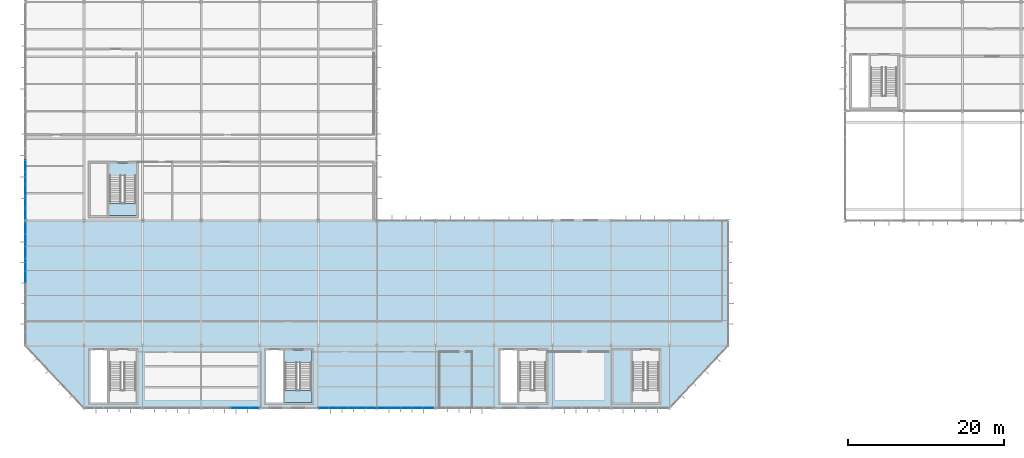
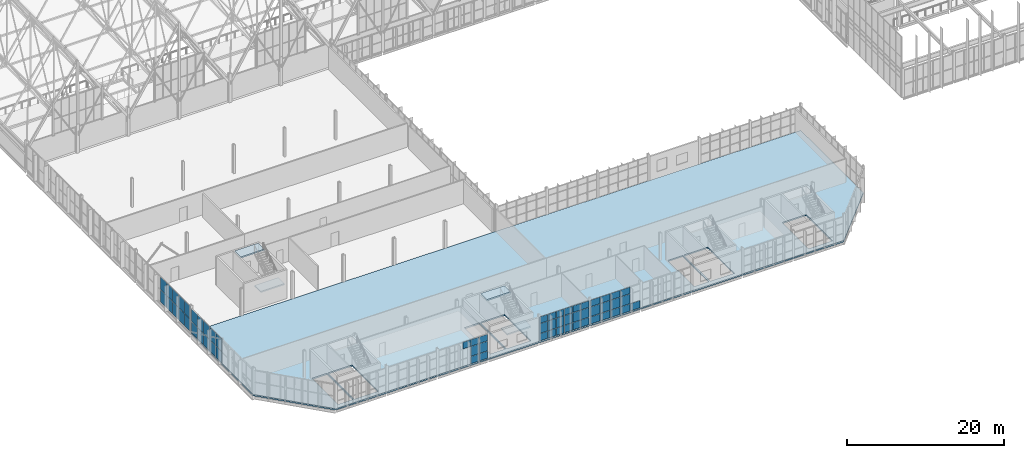
# One storey, part 266 of 324: 58 plates, 5 slabs, 7 elements without a shape of their own.
"""IFC4 building model written with IfcOpenShell, lengths in metres."""

from ifc_helpers import new_model, si_unit, direction, frame, origin, origin_2d, place, context, subcontext, project, spatial, polyline, rectangle, outline, extrude, material, layer, layer_set, type_object, element, aggregate, save


model = new_model("IFC4")

# Units and contexts
model_context = context("Model", 3, precision=1e-05, world=origin(), true_north=direction((0.0, 1.0)))
body_context = subcontext(model_context, "Body", "Model", "MODEL_VIEW")
ifc_project = project(units=[si_unit("LENGTHUNIT", "METRE"), si_unit("AREAUNIT", "SQUARE_METRE"), si_unit("VOLUMEUNIT", "CUBIC_METRE"), si_unit("PLANEANGLEUNIT", "RADIAN"), si_unit("MASSUNIT", "GRAM", prefix="KILO")], contexts=[model_context])

# Site, building, storey
site_placement = place(None, origin())
site = spatial("IfcSite", under=ifc_project, at=site_placement, CompositionType="ELEMENT")
building_placement = place(site_placement, origin())
building = spatial("IfcBuilding", under=site, at=building_placement, Name="Solvenia Promenade Tram Depot", CompositionType="ELEMENT")
storey_placement = place(building_placement, frame((0.0, 0.0, 4.5)))
storey = spatial("IfcBuildingStorey", under=building, at=storey_placement, Name="L01", CompositionType="ELEMENT", Elevation=4.5)

# Curtain wall, plates
ifc_material_1 = material(Name="Anodized aluminium AW-6063 T6", Category="aluminium")
ifc_layer_1 = layer(ifc_material_1, 0.1201171875, Name="Anodized aluminium AW-6063 T6", Category="aluminium")
ifc_layer_set_1 = layer_set([ifc_layer_1], Name="Anodized aluminium AW-6063 T6")
curtain_wall_type_1 = type_object("IfcCurtainWallType", Name="CW-Wash-1500", PredefinedType="NOTDEFINED", material=ifc_layer_set_1)
curtain_wall_1_placement = place(storey_placement, origin())
curtain_wall_1 = element("IfcCurtainWall", 1, at=curtain_wall_1_placement, inside=storey, type_object=curtain_wall_type_1, Name="Curtain Wall CW-V3-W-L1-1", PredefinedType="NOTDEFINED")
ifc_material_2 = material(Name="Low-iron translucent U-profile channel glass", Category="glass")
ifc_layer_2 = layer(ifc_material_2, 0.028076171875, Name="Low-iron translucent U-profile channel glass", Category="glass")
ifc_layer_set_2 = layer_set([ifc_layer_2], Name="Low-iron translucent U-profile channel glass")
plate_type_1 = type_object("IfcPlateType", Name="CWP-Panel-1", PredefinedType="CURTAIN_PANEL", material=ifc_layer_set_2)
plate_1_placement = place(storey_placement, frame((0.0, 24.858642578125, 0.06005859375), z_axis=(0.0, 0.0, 1.0), x_axis=(0.0, 1.0, 0.0)))
plate_1 = element("IfcPlate", 2, at=plate_1_placement, type_object=plate_type_1, Name="CW-10 panel 1.1", PredefinedType="CURTAIN_PANEL", context=body_context, shape_type="SweptSolid", body=[
    extrude(rectangle(XDim=1.453125, YDim=0.028076171875, at=origin_2d()), origin(), (0.0, 0.0, 1.0), 1.909912109375),
])
plate_2_placement = place(storey_placement, frame((0.0, 24.858642578125, 2.030029296875), z_axis=(0.0, 0.0, 1.0), x_axis=(0.0, 1.0, 0.0)))
plate_2 = element("IfcPlate", 3, at=plate_2_placement, type_object=plate_type_1, Name="CW-10 panel 1.2", PredefinedType="CURTAIN_PANEL", context=body_context, shape_type="SweptSolid", body=[
    extrude(rectangle(XDim=1.453125, YDim=0.028076171875, at=origin_2d()), origin(), (0.0, 0.0, 1.0), 1.9599609375),
])
plate_3_placement = place(storey_placement, frame((0.0, 26.376708984375, 0.06005859375), z_axis=(0.0, 0.0, 1.0), x_axis=(0.0, 1.0, 0.0)))
plate_3 = element("IfcPlate", 4, at=plate_3_placement, type_object=plate_type_1, Name="CW-10 panel 2.1", PredefinedType="CURTAIN_PANEL", context=body_context, shape_type="SweptSolid", body=[
    extrude(rectangle(XDim=1.47900390625, YDim=0.028076171875, at=origin_2d()), origin(), (0.0, 0.0, 1.0), 1.909912109375),
])
plate_4_placement = place(storey_placement, frame((0.0, 26.376708984375, 2.030029296875), z_axis=(0.0, 0.0, 1.0), x_axis=(0.0, 1.0, 0.0)))
plate_4 = element("IfcPlate", 5, at=plate_4_placement, type_object=plate_type_1, Name="CW-10 panel 2.2", PredefinedType="CURTAIN_PANEL", context=body_context, shape_type="SweptSolid", body=[
    extrude(rectangle(XDim=1.47900390625, YDim=0.028076171875, at=origin_2d()), origin(), (0.0, 0.0, 1.0), 1.9599609375),
])
plate_5_placement = place(storey_placement, frame((0.0, 27.90771484375, 0.06005859375), z_axis=(0.0, 0.0, 1.0), x_axis=(0.0, 1.0, 0.0)))
plate_5 = element("IfcPlate", 6, at=plate_5_placement, type_object=plate_type_1, Name="CW-10 panel 3.1", PredefinedType="CURTAIN_PANEL", context=body_context, shape_type="SweptSolid", body=[
    extrude(rectangle(XDim=1.47900390625, YDim=0.028076171875, at=origin_2d()), origin(), (0.0, 0.0, 1.0), 1.909912109375),
])
plate_6_placement = place(storey_placement, frame((0.0, 27.90771484375, 2.030029296875), z_axis=(0.0, 0.0, 1.0), x_axis=(0.0, 1.0, 0.0)))
plate_6 = element("IfcPlate", 7, at=plate_6_placement, type_object=plate_type_1, Name="CW-10 panel 3.2", PredefinedType="CURTAIN_PANEL", context=body_context, shape_type="SweptSolid", body=[
    extrude(rectangle(XDim=1.47900390625, YDim=0.028076171875, at=origin_2d()), origin(), (0.0, 0.0, 1.0), 1.9599609375),
])
plate_7_placement = place(storey_placement, frame((0.0, 29.43896484375, 0.06005859375), z_axis=(0.0, 0.0, 1.0), x_axis=(0.0, 1.0, 0.0)))
plate_7 = element("IfcPlate", 8, at=plate_7_placement, type_object=plate_type_1, Name="CW-10 panel 4.1", PredefinedType="CURTAIN_PANEL", context=body_context, shape_type="SweptSolid", body=[
    extrude(rectangle(XDim=1.47900390625, YDim=0.028076171875, at=origin_2d()), origin(), (0.0, 0.0, 1.0), 1.909912109375),
])
plate_8_placement = place(storey_placement, frame((0.0, 29.43896484375, 2.030029296875), z_axis=(0.0, 0.0, 1.0), x_axis=(0.0, 1.0, 0.0)))
plate_8 = element("IfcPlate", 9, at=plate_8_placement, type_object=plate_type_1, Name="CW-10 panel 4.2", PredefinedType="CURTAIN_PANEL", context=body_context, shape_type="SweptSolid", body=[
    extrude(rectangle(XDim=1.47900390625, YDim=0.028076171875, at=origin_2d()), origin(), (0.0, 0.0, 1.0), 1.9599609375),
])
plate_9_placement = place(storey_placement, frame((0.0, 30.969970703125, 0.06005859375), z_axis=(0.0, 0.0, 1.0), x_axis=(0.0, 1.0, 0.0)))
plate_9 = element("IfcPlate", 10, at=plate_9_placement, type_object=plate_type_1, Name="CW-10 panel 5.1", PredefinedType="CURTAIN_PANEL", context=body_context, shape_type="SweptSolid", body=[
    extrude(rectangle(XDim=1.47900390625, YDim=0.028076171875, at=origin_2d()), origin(), (0.0, 0.0, 1.0), 1.909912109375),
])
plate_10_placement = place(storey_placement, frame((0.0, 30.969970703125, 2.030029296875), z_axis=(0.0, 0.0, 1.0), x_axis=(0.0, 1.0, 0.0)))
plate_10 = element("IfcPlate", 11, at=plate_10_placement, type_object=plate_type_1, Name="CW-10 panel 5.2", PredefinedType="CURTAIN_PANEL", context=body_context, shape_type="SweptSolid", body=[
    extrude(rectangle(XDim=1.47900390625, YDim=0.028076171875, at=origin_2d()), origin(), (0.0, 0.0, 1.0), 1.9599609375),
])
aggregate(curtain_wall_1, [plate_1, plate_2, plate_3, plate_4, plate_5, plate_6, plate_7, plate_8, plate_9, plate_10])

ifc_layer_3 = layer(ifc_material_1, 0.179931640625, Name="Anodized aluminium AW-6063 T6", Category="aluminium")
ifc_layer_set_3 = layer_set([ifc_layer_3], Name="Anodized aluminium AW-6063 T6")
curtain_wall_type_2 = type_object("IfcCurtainWallType", Name="CW-Solar-1250", PredefinedType="NOTDEFINED", material=ifc_layer_set_3)
curtain_wall_2_placement = place(storey_placement, origin())
curtain_wall_2 = element("IfcCurtainWall", 12, at=curtain_wall_2_placement, inside=storey, type_object=curtain_wall_type_2, Name="Curtain Wall CW-V4S-L01-03", PredefinedType="NOTDEFINED")
ifc_material_3 = material(Name="Double low-e argon insulated glass", Category="glass")
ifc_layer_4 = layer(ifc_material_3, 0.035888671875, Name="Double low-e argon insulated glass", Category="glass")
ifc_layer_set_4 = layer_set([ifc_layer_4], Name="Double low-e argon insulated glass")
plate_type_2 = type_object("IfcPlateType", Name="CWP-Panel-3", PredefinedType="CURTAIN_PANEL", material=ifc_layer_set_4)
plate_11_placement = place(storey_placement, frame((26.861572265625, 0.0, 2.77880859375), z_axis=(0.0, 0.0, 1.0), x_axis=(1.0, 0.0, 0.0)))
plate_11 = element("IfcPlate", 13, at=plate_11_placement, type_object=plate_type_2, Name="CW-6 panel 4.3", PredefinedType="CURTAIN_PANEL", context=body_context, shape_type="SweptSolid", body=[
    extrude(rectangle(XDim=1.17529296875, YDim=0.035888671875, at=origin_2d()), origin(), (0.0, 0.0, 1.0), 1.012939453125),
])
plate_12_placement = place(storey_placement, frame((28.0849609375, 0.0, 0.05810546875), z_axis=(0.0, 0.0, 1.0), x_axis=(1.0, 0.0, 0.0)))
plate_12 = element("IfcPlate", 14, at=plate_12_placement, type_object=plate_type_2, Name="CW-6 panel 5.1", PredefinedType="CURTAIN_PANEL", context=body_context, shape_type="SweptSolid", body=[
    extrude(rectangle(XDim=1.17529296875, YDim=0.035888671875, at=origin_2d()), origin(), (0.0, 0.0, 1.0), 1.113037109375),
])
plate_13_placement = place(storey_placement, frame((28.0849609375, 0.0, 1.22900390625), z_axis=(0.0, 0.0, 1.0), x_axis=(1.0, 0.0, 0.0)))
plate_13 = element("IfcPlate", 15, at=plate_13_placement, type_object=plate_type_2, Name="CW-6 panel 5.2", PredefinedType="CURTAIN_PANEL", context=body_context, shape_type="SweptSolid", body=[
    extrude(rectangle(XDim=1.17529296875, YDim=0.035888671875, at=origin_2d()), origin(), (0.0, 0.0, 1.0), 1.491943359375),
])
plate_14_placement = place(storey_placement, frame((28.0849609375, 0.0, 2.77880859375), z_axis=(0.0, 0.0, 1.0), x_axis=(1.0, 0.0, 0.0)))
plate_14 = element("IfcPlate", 16, at=plate_14_placement, type_object=plate_type_2, Name="CW-6 panel 5.3", PredefinedType="CURTAIN_PANEL", context=body_context, shape_type="SweptSolid", body=[
    extrude(rectangle(XDim=1.17529296875, YDim=0.035888671875, at=origin_2d()), origin(), (0.0, 0.0, 1.0), 1.012939453125),
])
plate_15_placement = place(storey_placement, frame((29.29638671875, 0.0, 0.05810546875), z_axis=(0.0, 0.0, 1.0), x_axis=(1.0, 0.0, 0.0)))
plate_15 = element("IfcPlate", 17, at=plate_15_placement, type_object=plate_type_2, Name="CW-6 panel 6.1", PredefinedType="CURTAIN_PANEL", context=body_context, shape_type="SweptSolid", body=[
    extrude(rectangle(XDim=1.1513671875, YDim=0.035888671875, at=origin_2d()), origin(), (0.0, 0.0, 1.0), 1.113037109375),
])
plate_16_placement = place(storey_placement, frame((29.29638671875, 0.0, 1.22900390625), z_axis=(0.0, 0.0, 1.0), x_axis=(1.0, 0.0, 0.0)))
plate_16 = element("IfcPlate", 18, at=plate_16_placement, type_object=plate_type_2, Name="CW-6 panel 6.2", PredefinedType="CURTAIN_PANEL", context=body_context, shape_type="SweptSolid", body=[
    extrude(rectangle(XDim=1.1513671875, YDim=0.035888671875, at=origin_2d()), origin(), (0.0, 0.0, 1.0), 1.491943359375),
])
plate_17_placement = place(storey_placement, frame((29.29638671875, 0.0, 2.77880859375), z_axis=(0.0, 0.0, 1.0), x_axis=(1.0, 0.0, 0.0)))
plate_17 = element("IfcPlate", 19, at=plate_17_placement, type_object=plate_type_2, Name="CW-6 panel 6.3", PredefinedType="CURTAIN_PANEL", context=body_context, shape_type="SweptSolid", body=[
    extrude(rectangle(XDim=1.1513671875, YDim=0.035888671875, at=origin_2d()), origin(), (0.0, 0.0, 1.0), 1.012939453125),
])
aggregate(curtain_wall_2, [plate_11, plate_12, plate_13, plate_14, plate_15, plate_16, plate_17])

curtain_wall_3_placement = place(storey_placement, origin())
curtain_wall_3 = element("IfcCurtainWall", 20, at=curtain_wall_3_placement, inside=storey, type_object=curtain_wall_type_2, Name="Curtain Wall CW-V4S-L01-05", PredefinedType="NOTDEFINED")
plate_18_placement = place(storey_placement, frame((38.20361328125, 0.0, 0.05810546875), z_axis=(0.0, 0.0, 1.0), x_axis=(1.0, 0.0, 0.0)))
plate_18 = element("IfcPlate", 21, at=plate_18_placement, type_object=plate_type_2, Name="CW-6 panel 1.1", PredefinedType="CURTAIN_PANEL", context=body_context, shape_type="SweptSolid", body=[
    extrude(rectangle(XDim=1.1513671875, YDim=0.035888671875, at=origin_2d()), origin(), (0.0, 0.0, 1.0), 1.113037109375),
])
plate_19_placement = place(storey_placement, frame((38.20361328125, 0.0, 1.22900390625), z_axis=(0.0, 0.0, 1.0), x_axis=(1.0, 0.0, 0.0)))
plate_19 = element("IfcPlate", 22, at=plate_19_placement, type_object=plate_type_2, Name="CW-6 panel 1.2", PredefinedType="CURTAIN_PANEL", context=body_context, shape_type="SweptSolid", body=[
    extrude(rectangle(XDim=1.1513671875, YDim=0.035888671875, at=origin_2d()), origin(), (0.0, 0.0, 1.0), 1.491943359375),
])
plate_20_placement = place(storey_placement, frame((38.20361328125, 0.0, 2.77880859375), z_axis=(0.0, 0.0, 1.0), x_axis=(1.0, 0.0, 0.0)))
plate_20 = element("IfcPlate", 23, at=plate_20_placement, type_object=plate_type_2, Name="CW-6 panel 1.3", PredefinedType="CURTAIN_PANEL", context=body_context, shape_type="SweptSolid", body=[
    extrude(rectangle(XDim=1.1513671875, YDim=0.035888671875, at=origin_2d()), origin(), (0.0, 0.0, 1.0), 1.012939453125),
])
plate_21_placement = place(storey_placement, frame((39.4150390625, 0.0, 0.05810546875), z_axis=(0.0, 0.0, 1.0), x_axis=(1.0, 0.0, 0.0)))
plate_21 = element("IfcPlate", 24, at=plate_21_placement, type_object=plate_type_2, Name="CW-6 panel 2.1", PredefinedType="CURTAIN_PANEL", context=body_context, shape_type="SweptSolid", body=[
    extrude(rectangle(XDim=1.17529296875, YDim=0.035888671875, at=origin_2d()), origin(), (0.0, 0.0, 1.0), 1.113037109375),
])
plate_22_placement = place(storey_placement, frame((39.4150390625, 0.0, 1.22900390625), z_axis=(0.0, 0.0, 1.0), x_axis=(1.0, 0.0, 0.0)))
plate_22 = element("IfcPlate", 25, at=plate_22_placement, type_object=plate_type_2, Name="CW-6 panel 2.2", PredefinedType="CURTAIN_PANEL", context=body_context, shape_type="SweptSolid", body=[
    extrude(rectangle(XDim=1.17529296875, YDim=0.035888671875, at=origin_2d()), origin(), (0.0, 0.0, 1.0), 1.491943359375),
])
plate_23_placement = place(storey_placement, frame((39.4150390625, 0.0, 2.77880859375), z_axis=(0.0, 0.0, 1.0), x_axis=(1.0, 0.0, 0.0)))
plate_23 = element("IfcPlate", 26, at=plate_23_placement, type_object=plate_type_2, Name="CW-6 panel 2.3", PredefinedType="CURTAIN_PANEL", context=body_context, shape_type="SweptSolid", body=[
    extrude(rectangle(XDim=1.17529296875, YDim=0.035888671875, at=origin_2d()), origin(), (0.0, 0.0, 1.0), 1.012939453125),
])
plate_24_placement = place(storey_placement, frame((40.638427734375, 0.0, 0.05810546875), z_axis=(0.0, 0.0, 1.0), x_axis=(1.0, 0.0, 0.0)))
plate_24 = element("IfcPlate", 27, at=plate_24_placement, type_object=plate_type_2, Name="CW-6 panel 3.1", PredefinedType="CURTAIN_PANEL", context=body_context, shape_type="SweptSolid", body=[
    extrude(rectangle(XDim=1.17529296875, YDim=0.035888671875, at=origin_2d()), origin(), (0.0, 0.0, 1.0), 1.113037109375),
])
plate_25_placement = place(storey_placement, frame((40.638427734375, 0.0, 1.22900390625), z_axis=(0.0, 0.0, 1.0), x_axis=(1.0, 0.0, 0.0)))
plate_25 = element("IfcPlate", 28, at=plate_25_placement, type_object=plate_type_2, Name="CW-6 panel 3.2", PredefinedType="CURTAIN_PANEL", context=body_context, shape_type="SweptSolid", body=[
    extrude(rectangle(XDim=1.17529296875, YDim=0.035888671875, at=origin_2d()), origin(), (0.0, 0.0, 1.0), 1.491943359375),
])
plate_26_placement = place(storey_placement, frame((40.638427734375, 0.0, 2.77880859375), z_axis=(0.0, 0.0, 1.0), x_axis=(1.0, 0.0, 0.0)))
plate_26 = element("IfcPlate", 29, at=plate_26_placement, type_object=plate_type_2, Name="CW-6 panel 3.3", PredefinedType="CURTAIN_PANEL", context=body_context, shape_type="SweptSolid", body=[
    extrude(rectangle(XDim=1.17529296875, YDim=0.035888671875, at=origin_2d()), origin(), (0.0, 0.0, 1.0), 1.012939453125),
])
plate_27_placement = place(storey_placement, frame((41.861572265625, 0.0, 0.05810546875), z_axis=(0.0, 0.0, 1.0), x_axis=(1.0, 0.0, 0.0)))
plate_27 = element("IfcPlate", 30, at=plate_27_placement, type_object=plate_type_2, Name="CW-6 panel 4.1", PredefinedType="CURTAIN_PANEL", context=body_context, shape_type="SweptSolid", body=[
    extrude(rectangle(XDim=1.17529296875, YDim=0.035888671875, at=origin_2d()), origin(), (0.0, 0.0, 1.0), 1.113037109375),
])
plate_28_placement = place(storey_placement, frame((41.861572265625, 0.0, 1.22900390625), z_axis=(0.0, 0.0, 1.0), x_axis=(1.0, 0.0, 0.0)))
plate_28 = element("IfcPlate", 31, at=plate_28_placement, type_object=plate_type_2, Name="CW-6 panel 4.2", PredefinedType="CURTAIN_PANEL", context=body_context, shape_type="SweptSolid", body=[
    extrude(rectangle(XDim=1.17529296875, YDim=0.035888671875, at=origin_2d()), origin(), (0.0, 0.0, 1.0), 1.491943359375),
])
plate_29_placement = place(storey_placement, frame((41.861572265625, 0.0, 2.77880859375), z_axis=(0.0, 0.0, 1.0), x_axis=(1.0, 0.0, 0.0)))
plate_29 = element("IfcPlate", 32, at=plate_29_placement, type_object=plate_type_2, Name="CW-6 panel 4.3", PredefinedType="CURTAIN_PANEL", context=body_context, shape_type="SweptSolid", body=[
    extrude(rectangle(XDim=1.17529296875, YDim=0.035888671875, at=origin_2d()), origin(), (0.0, 0.0, 1.0), 1.012939453125),
])
plate_30_placement = place(storey_placement, frame((43.0849609375, 0.0, 0.05810546875), z_axis=(0.0, 0.0, 1.0), x_axis=(1.0, 0.0, 0.0)))
plate_30 = element("IfcPlate", 33, at=plate_30_placement, type_object=plate_type_2, Name="CW-6 panel 5.1", PredefinedType="CURTAIN_PANEL", context=body_context, shape_type="SweptSolid", body=[
    extrude(rectangle(XDim=1.17529296875, YDim=0.035888671875, at=origin_2d()), origin(), (0.0, 0.0, 1.0), 1.113037109375),
])
plate_31_placement = place(storey_placement, frame((43.0849609375, 0.0, 1.22900390625), z_axis=(0.0, 0.0, 1.0), x_axis=(1.0, 0.0, 0.0)))
plate_31 = element("IfcPlate", 34, at=plate_31_placement, type_object=plate_type_2, Name="CW-6 panel 5.2", PredefinedType="CURTAIN_PANEL", context=body_context, shape_type="SweptSolid", body=[
    extrude(rectangle(XDim=1.17529296875, YDim=0.035888671875, at=origin_2d()), origin(), (0.0, 0.0, 1.0), 1.491943359375),
])
plate_32_placement = place(storey_placement, frame((43.0849609375, 0.0, 2.77880859375), z_axis=(0.0, 0.0, 1.0), x_axis=(1.0, 0.0, 0.0)))
plate_32 = element("IfcPlate", 35, at=plate_32_placement, type_object=plate_type_2, Name="CW-6 panel 5.3", PredefinedType="CURTAIN_PANEL", context=body_context, shape_type="SweptSolid", body=[
    extrude(rectangle(XDim=1.17529296875, YDim=0.035888671875, at=origin_2d()), origin(), (0.0, 0.0, 1.0), 1.012939453125),
])
plate_33_placement = place(storey_placement, frame((44.29638671875, 0.0, 0.05810546875), z_axis=(0.0, 0.0, 1.0), x_axis=(1.0, 0.0, 0.0)))
plate_33 = element("IfcPlate", 36, at=plate_33_placement, type_object=plate_type_2, Name="CW-6 panel 6.1", PredefinedType="CURTAIN_PANEL", context=body_context, shape_type="SweptSolid", body=[
    extrude(rectangle(XDim=1.1513671875, YDim=0.035888671875, at=origin_2d()), origin(), (0.0, 0.0, 1.0), 1.113037109375),
])
plate_34_placement = place(storey_placement, frame((44.29638671875, 0.0, 1.22900390625), z_axis=(0.0, 0.0, 1.0), x_axis=(1.0, 0.0, 0.0)))
plate_34 = element("IfcPlate", 37, at=plate_34_placement, type_object=plate_type_2, Name="CW-6 panel 6.2", PredefinedType="CURTAIN_PANEL", context=body_context, shape_type="SweptSolid", body=[
    extrude(rectangle(XDim=1.1513671875, YDim=0.035888671875, at=origin_2d()), origin(), (0.0, 0.0, 1.0), 1.491943359375),
])
plate_35_placement = place(storey_placement, frame((44.29638671875, 0.0, 2.77880859375), z_axis=(0.0, 0.0, 1.0), x_axis=(1.0, 0.0, 0.0)))
plate_35 = element("IfcPlate", 38, at=plate_35_placement, type_object=plate_type_2, Name="CW-6 panel 6.3", PredefinedType="CURTAIN_PANEL", context=body_context, shape_type="SweptSolid", body=[
    extrude(rectangle(XDim=1.1513671875, YDim=0.035888671875, at=origin_2d()), origin(), (0.0, 0.0, 1.0), 1.012939453125),
])
aggregate(curtain_wall_3, [plate_18, plate_19, plate_20, plate_21, plate_22, plate_23, plate_24, plate_25, plate_26, plate_27, plate_28, plate_29, plate_30, plate_31, plate_32, plate_33, plate_34, plate_35])

ifc_layer_5 = layer(ifc_material_1, 0.179931640625, Name="Anodized aluminium AW-6063 T6", Category="aluminium")
ifc_layer_set_5 = layer_set([ifc_layer_5], Name="Anodized aluminium AW-6063 T6")
curtain_wall_type_3 = type_object("IfcCurtainWallType", Name="CW-Solar-1500", PredefinedType="NOTDEFINED", material=ifc_layer_set_5)
curtain_wall_4_placement = place(storey_placement, origin())
curtain_wall_4 = element("IfcCurtainWall", 39, at=curtain_wall_4_placement, inside=storey, type_object=curtain_wall_type_3, Name="Curtain Wall CW-V4S-L01-06", PredefinedType="NOTDEFINED")
plate_36_placement = place(storey_placement, frame((45.825927734375, 0.0, 0.05810546875), z_axis=(0.0, 0.0, 1.0), x_axis=(1.0, 0.0, 0.0)))
plate_36 = element("IfcPlate", 40, at=plate_36_placement, type_object=plate_type_2, Name="CW-7 panel 1.1", PredefinedType="CURTAIN_PANEL", context=body_context, shape_type="SweptSolid", body=[
    extrude(rectangle(XDim=1.39599609375, YDim=0.035888671875, at=origin_2d()), origin(), (0.0, 0.0, 1.0), 1.113037109375),
])
plate_37_placement = place(storey_placement, frame((45.825927734375, 0.0, 1.22900390625), z_axis=(0.0, 0.0, 1.0), x_axis=(1.0, 0.0, 0.0)))
plate_37 = element("IfcPlate", 41, at=plate_37_placement, type_object=plate_type_2, Name="CW-7 panel 1.2", PredefinedType="CURTAIN_PANEL", context=body_context, shape_type="SweptSolid", body=[
    extrude(rectangle(XDim=1.39599609375, YDim=0.035888671875, at=origin_2d()), origin(), (0.0, 0.0, 1.0), 1.491943359375),
])
plate_38_placement = place(storey_placement, frame((45.825927734375, 0.0, 2.77880859375), z_axis=(0.0, 0.0, 1.0), x_axis=(1.0, 0.0, 0.0)))
plate_38 = element("IfcPlate", 42, at=plate_38_placement, type_object=plate_type_2, Name="CW-7 panel 1.3", PredefinedType="CURTAIN_PANEL", context=body_context, shape_type="SweptSolid", body=[
    extrude(rectangle(XDim=1.39599609375, YDim=0.035888671875, at=origin_2d()), origin(), (0.0, 0.0, 1.0), 1.012939453125),
])
plate_39_placement = place(storey_placement, frame((47.281982421875, 0.0, 0.05810546875), z_axis=(0.0, 0.0, 1.0), x_axis=(1.0, 0.0, 0.0)))
plate_39 = element("IfcPlate", 43, at=plate_39_placement, type_object=plate_type_2, Name="CW-7 panel 2.1", PredefinedType="CURTAIN_PANEL", context=body_context, shape_type="SweptSolid", body=[
    extrude(rectangle(XDim=1.419921875, YDim=0.035888671875, at=origin_2d()), origin(), (0.0, 0.0, 1.0), 1.113037109375),
])
plate_40_placement = place(storey_placement, frame((47.281982421875, 0.0, 1.22900390625), z_axis=(0.0, 0.0, 1.0), x_axis=(1.0, 0.0, 0.0)))
plate_40 = element("IfcPlate", 44, at=plate_40_placement, type_object=plate_type_2, Name="CW-7 panel 2.2", PredefinedType="CURTAIN_PANEL", context=body_context, shape_type="SweptSolid", body=[
    extrude(rectangle(XDim=1.419921875, YDim=0.035888671875, at=origin_2d()), origin(), (0.0, 0.0, 1.0), 1.491943359375),
])
plate_41_placement = place(storey_placement, frame((47.281982421875, 0.0, 2.77880859375), z_axis=(0.0, 0.0, 1.0), x_axis=(1.0, 0.0, 0.0)))
plate_41 = element("IfcPlate", 45, at=plate_41_placement, type_object=plate_type_2, Name="CW-7 panel 2.3", PredefinedType="CURTAIN_PANEL", context=body_context, shape_type="SweptSolid", body=[
    extrude(rectangle(XDim=1.419921875, YDim=0.035888671875, at=origin_2d()), origin(), (0.0, 0.0, 1.0), 1.012939453125),
])
plate_42_placement = place(storey_placement, frame((48.75, 0.0, 0.05810546875), z_axis=(0.0, 0.0, 1.0), x_axis=(1.0, 0.0, 0.0)))
plate_42 = element("IfcPlate", 46, at=plate_42_placement, type_object=plate_type_2, Name="CW-7 panel 3.1", PredefinedType="CURTAIN_PANEL", context=body_context, shape_type="SweptSolid", body=[
    extrude(rectangle(XDim=1.419921875, YDim=0.035888671875, at=origin_2d()), origin(), (0.0, 0.0, 1.0), 1.113037109375),
])
plate_43_placement = place(storey_placement, frame((48.75, 0.0, 1.22900390625), z_axis=(0.0, 0.0, 1.0), x_axis=(1.0, 0.0, 0.0)))
plate_43 = element("IfcPlate", 47, at=plate_43_placement, type_object=plate_type_2, Name="CW-7 panel 3.2", PredefinedType="CURTAIN_PANEL", context=body_context, shape_type="SweptSolid", body=[
    extrude(rectangle(XDim=1.419921875, YDim=0.035888671875, at=origin_2d()), origin(), (0.0, 0.0, 1.0), 1.491943359375),
])
plate_44_placement = place(storey_placement, frame((48.75, 0.0, 2.77880859375), z_axis=(0.0, 0.0, 1.0), x_axis=(1.0, 0.0, 0.0)))
plate_44 = element("IfcPlate", 48, at=plate_44_placement, type_object=plate_type_2, Name="CW-7 panel 3.3", PredefinedType="CURTAIN_PANEL", context=body_context, shape_type="SweptSolid", body=[
    extrude(rectangle(XDim=1.419921875, YDim=0.035888671875, at=origin_2d()), origin(), (0.0, 0.0, 1.0), 1.012939453125),
])
plate_45_placement = place(storey_placement, frame((50.218017578125, 0.0, 0.05810546875), z_axis=(0.0, 0.0, 1.0), x_axis=(1.0, 0.0, 0.0)))
plate_45 = element("IfcPlate", 49, at=plate_45_placement, type_object=plate_type_2, Name="CW-7 panel 4.1", PredefinedType="CURTAIN_PANEL", context=body_context, shape_type="SweptSolid", body=[
    extrude(rectangle(XDim=1.419921875, YDim=0.035888671875, at=origin_2d()), origin(), (0.0, 0.0, 1.0), 1.113037109375),
])
plate_46_placement = place(storey_placement, frame((50.218017578125, 0.0, 1.22900390625), z_axis=(0.0, 0.0, 1.0), x_axis=(1.0, 0.0, 0.0)))
plate_46 = element("IfcPlate", 50, at=plate_46_placement, type_object=plate_type_2, Name="CW-7 panel 4.2", PredefinedType="CURTAIN_PANEL", context=body_context, shape_type="SweptSolid", body=[
    extrude(rectangle(XDim=1.419921875, YDim=0.035888671875, at=origin_2d()), origin(), (0.0, 0.0, 1.0), 1.491943359375),
])
plate_47_placement = place(storey_placement, frame((50.218017578125, 0.0, 2.77880859375), z_axis=(0.0, 0.0, 1.0), x_axis=(1.0, 0.0, 0.0)))
plate_47 = element("IfcPlate", 51, at=plate_47_placement, type_object=plate_type_2, Name="CW-7 panel 4.3", PredefinedType="CURTAIN_PANEL", context=body_context, shape_type="SweptSolid", body=[
    extrude(rectangle(XDim=1.419921875, YDim=0.035888671875, at=origin_2d()), origin(), (0.0, 0.0, 1.0), 1.012939453125),
])
plate_48_placement = place(storey_placement, frame((51.674072265625, 0.0, 0.05810546875), z_axis=(0.0, 0.0, 1.0), x_axis=(1.0, 0.0, 0.0)))
plate_48 = element("IfcPlate", 52, at=plate_48_placement, type_object=plate_type_2, Name="CW-7 panel 5.1", PredefinedType="CURTAIN_PANEL", context=body_context, shape_type="SweptSolid", body=[
    extrude(rectangle(XDim=1.39599609375, YDim=0.035888671875, at=origin_2d()), origin(), (0.0, 0.0, 1.0), 1.113037109375),
])
aggregate(curtain_wall_4, [plate_36, plate_37, plate_38, plate_39, plate_40, plate_41, plate_42, plate_43, plate_44, plate_45, plate_46, plate_47, plate_48])

curtain_wall_5_placement = place(storey_placement, origin())
curtain_wall_5 = element("IfcCurtainWall", 53, at=curtain_wall_5_placement, inside=storey, type_object=curtain_wall_type_3, Name="Curtain Wall CW-V4W-L01", PredefinedType="NOTDEFINED")
plate_49_placement = place(storey_placement, frame((0.0, 16.784912109375, 0.05810546875), z_axis=(0.0, 0.0, 1.0), x_axis=(0.0, 1.0, 0.0)))
plate_49 = element("IfcPlate", 54, at=plate_49_placement, type_object=plate_type_2, Name="CW-7 panel 6.1", PredefinedType="CURTAIN_PANEL", context=body_context, shape_type="SweptSolid", body=[
    extrude(rectangle(XDim=1.52197265625, YDim=0.035888671875, at=origin_2d()), origin(), (0.0, 0.0, 1.0), 1.712890625),
])
plate_50_placement = place(storey_placement, frame((0.0, 16.784912109375, 1.8291015625), z_axis=(0.0, 0.0, 1.0), x_axis=(0.0, 1.0, 0.0)))
plate_50 = element("IfcPlate", 55, at=plate_50_placement, type_object=plate_type_2, Name="CW-7 panel 6.2", PredefinedType="CURTAIN_PANEL", context=body_context, shape_type="SweptSolid", body=[
    extrude(rectangle(XDim=1.52197265625, YDim=0.035888671875, at=origin_2d()), origin(), (0.0, 0.0, 1.0), 1.962890625),
])
plate_51_placement = place(storey_placement, frame((0.0, 18.35498046875, 0.05810546875), z_axis=(0.0, 0.0, 1.0), x_axis=(0.0, 1.0, 0.0)))
plate_51 = element("IfcPlate", 56, at=plate_51_placement, type_object=plate_type_2, Name="CW-7 panel 7.1", PredefinedType="CURTAIN_PANEL", context=body_context, shape_type="SweptSolid", body=[
    extrude(rectangle(XDim=1.52197265625, YDim=0.035888671875, at=origin_2d()), origin(), (0.0, 0.0, 1.0), 1.712890625),
])
plate_52_placement = place(storey_placement, frame((0.0, 18.35498046875, 1.8291015625), z_axis=(0.0, 0.0, 1.0), x_axis=(0.0, 1.0, 0.0)))
plate_52 = element("IfcPlate", 57, at=plate_52_placement, type_object=plate_type_2, Name="CW-7 panel 7.2", PredefinedType="CURTAIN_PANEL", context=body_context, shape_type="SweptSolid", body=[
    extrude(rectangle(XDim=1.52197265625, YDim=0.035888671875, at=origin_2d()), origin(), (0.0, 0.0, 1.0), 1.962890625),
])
plate_53_placement = place(storey_placement, frame((0.0, 19.925048828125, 0.05810546875), z_axis=(0.0, 0.0, 1.0), x_axis=(0.0, 1.0, 0.0)))
plate_53 = element("IfcPlate", 58, at=plate_53_placement, type_object=plate_type_2, Name="CW-7 panel 8.1", PredefinedType="CURTAIN_PANEL", context=body_context, shape_type="SweptSolid", body=[
    extrude(rectangle(XDim=1.52197265625, YDim=0.035888671875, at=origin_2d()), origin(), (0.0, 0.0, 1.0), 1.712890625),
])
plate_54_placement = place(storey_placement, frame((0.0, 19.925048828125, 1.8291015625), z_axis=(0.0, 0.0, 1.0), x_axis=(0.0, 1.0, 0.0)))
plate_54 = element("IfcPlate", 59, at=plate_54_placement, type_object=plate_type_2, Name="CW-7 panel 8.2", PredefinedType="CURTAIN_PANEL", context=body_context, shape_type="SweptSolid", body=[
    extrude(rectangle(XDim=1.52197265625, YDim=0.035888671875, at=origin_2d()), origin(), (0.0, 0.0, 1.0), 1.962890625),
])
plate_55_placement = place(storey_placement, frame((0.0, 21.4951171875, 0.05810546875), z_axis=(0.0, 0.0, 1.0), x_axis=(0.0, 1.0, 0.0)))
plate_55 = element("IfcPlate", 60, at=plate_55_placement, type_object=plate_type_2, Name="CW-7 panel 9.1", PredefinedType="CURTAIN_PANEL", context=body_context, shape_type="SweptSolid", body=[
    extrude(rectangle(XDim=1.52197265625, YDim=0.035888671875, at=origin_2d()), origin(), (0.0, 0.0, 1.0), 1.712890625),
])
plate_56_placement = place(storey_placement, frame((0.0, 21.4951171875, 1.8291015625), z_axis=(0.0, 0.0, 1.0), x_axis=(0.0, 1.0, 0.0)))
plate_56 = element("IfcPlate", 61, at=plate_56_placement, type_object=plate_type_2, Name="CW-7 panel 9.2", PredefinedType="CURTAIN_PANEL", context=body_context, shape_type="SweptSolid", body=[
    extrude(rectangle(XDim=1.52197265625, YDim=0.035888671875, at=origin_2d()), origin(), (0.0, 0.0, 1.0), 1.962890625),
])
plate_57_placement = place(storey_placement, frame((0.0, 23.052978515625, 0.05810546875), z_axis=(0.0, 0.0, 1.0), x_axis=(0.0, 1.0, 0.0)))
plate_57 = element("IfcPlate", 62, at=plate_57_placement, type_object=plate_type_2, Name="CW-7 panel 10.1", PredefinedType="CURTAIN_PANEL", context=body_context, shape_type="SweptSolid", body=[
    extrude(rectangle(XDim=1.498046875, YDim=0.035888671875, at=origin_2d()), origin(), (0.0, 0.0, 1.0), 1.712890625),
])
plate_58_placement = place(storey_placement, frame((0.0, 23.052978515625, 1.8291015625), z_axis=(0.0, 0.0, 1.0), x_axis=(0.0, 1.0, 0.0)))
plate_58 = element("IfcPlate", 63, at=plate_58_placement, type_object=plate_type_2, Name="CW-7 panel 10.2", PredefinedType="CURTAIN_PANEL", context=body_context, shape_type="SweptSolid", body=[
    extrude(rectangle(XDim=1.498046875, YDim=0.035888671875, at=origin_2d()), origin(), (0.0, 0.0, 1.0), 1.962890625),
])
aggregate(curtain_wall_5, [plate_49, plate_50, plate_51, plate_52, plate_53, plate_54, plate_55, plate_56, plate_57, plate_58])

# Slab
ifc_material_4 = material(Name="Concrete C28/35", Category="concrete")
ifc_layer_6 = layer(ifc_material_4, 0.219970703125, Name="Concrete C28/35", Category="concrete")
ifc_layer_set_6 = layer_set([ifc_layer_6], Name="Concrete C28/35")
slab_type_1 = type_object("IfcSlabType", Name="Slab-Floor-220", PredefinedType="FLOOR", material=ifc_layer_set_6)
slab_1_placement = place(storey_placement, frame((0.0, 0.0, -0.219970703125)))
element("IfcSlab", 64, at=slab_1_placement, inside=storey, type_object=slab_type_1, Name="L01 V4 Structural Slab", PredefinedType="FLOOR", context=body_context, shape_type="SweptSolid", body=[
    extrude(outline(polyline([(7.5, 0.0), (82.5, 0.0), (90.0, 8.0), (90.0, 24.0), (0.0, 24.0), (0.0, 8.0), (7.5, 0.0)]), holes=[polyline([(8.300048828125, 7.39990234375), (10.5, 7.39990234375), (10.5, 0.699951171875), (8.300048828125, 0.699951171875), (8.300048828125, 7.39990234375)]), polyline([(10.679931640625, 7.419921875), (14.219970703125, 7.419921875), (14.219970703125, 0.679931640625), (10.679931640625, 0.679931640625), (10.679931640625, 7.419921875)]), polyline([(30.800048828125, 7.39990234375), (33.0, 7.39990234375), (33.0, 0.699951171875), (30.800048828125, 0.699951171875), (30.800048828125, 7.39990234375)]), polyline([(33.179931640625, 7.419921875), (36.719970703125, 7.419921875), (36.719970703125, 0.679931640625), (33.179931640625, 0.679931640625), (33.179931640625, 7.419921875)]), polyline([(60.800048828125, 7.39990234375), (63.0, 7.39990234375), (63.0, 0.699951171875), (60.800048828125, 0.699951171875), (60.800048828125, 7.39990234375)]), polyline([(63.179931640625, 7.419921875), (66.719970703125, 7.419921875), (66.719970703125, 0.679931640625), (63.179931640625, 0.679931640625), (63.179931640625, 7.419921875)]), polyline([(77.679931640625, 7.419921875), (81.219970703125, 7.419921875), (81.219970703125, 0.679931640625), (77.679931640625, 0.679931640625), (77.679931640625, 7.419921875)])]), origin(), (0.0, 0.0, 1.0), 0.219970703125),
])

# Stair, slabs
stair_type_1 = type_object("IfcStairType", Name="Stair-Core-1400", PredefinedType="TWO_STRAIGHT_RUN_STAIR", material=ifc_material_4)
stair_1_placement = place(storey_placement, origin())
stair_1 = element("IfcStair", 65, at=stair_1_placement, inside=storey, type_object=stair_type_1, Name="Enclosed Exit Stair ST-07-L01", PredefinedType="TWO_STRAIGHT_RUN_STAIR")
ifc_layer_7 = layer(ifc_material_4, 0.215087890625, Name="Concrete C28/35", Category="concrete")
ifc_layer_set_7 = layer_set([ifc_layer_7], Name="Concrete C28/35")
slab_type_2 = type_object("IfcSlabType", Name="Slab-Landing-215", PredefinedType="LANDING", material=ifc_layer_set_7)
slab_2_placement = place(storey_placement, frame((0.0, 0.0, 2.034912109375)))
slab_2 = element("IfcSlab", 66, at=slab_2_placement, type_object=slab_type_2, Name="ST-07-L01 landing 1", PredefinedType="LANDING", context=body_context, shape_type="SweptSolid", body=[
    extrude(outline(polyline([(10.699951171875, 24.64990234375), (14.199951171875, 24.64990234375), (14.199951171875, 26.2099609375), (10.699951171875, 26.2099609375), (10.699951171875, 24.64990234375)])), origin(), (0.0, 0.0, 1.0), 0.215087890625),
])
slab_3_placement = place(storey_placement, frame((0.0, 0.0, 4.284912109375)))
slab_3 = element("IfcSlab", 67, at=slab_3_placement, type_object=slab_type_2, Name="ST-07-L01 landing 2", PredefinedType="LANDING", context=body_context, shape_type="SweptSolid", body=[
    extrude(outline(polyline([(10.699951171875, 29.7900390625), (14.199951171875, 29.7900390625), (14.199951171875, 31.35009765625), (10.699951171875, 31.35009765625), (10.699951171875, 29.7900390625)])), origin(), (0.0, 0.0, 1.0), 0.215087890625),
])
aggregate(stair_1, [slab_2, slab_3])

stair_type_2 = type_object("IfcStairType", Name="Stair-Core-1460", PredefinedType="TWO_STRAIGHT_RUN_STAIR", material=ifc_material_4)
stair_2_placement = place(storey_placement, origin())
stair_2 = element("IfcStair", 68, at=stair_2_placement, inside=storey, type_object=stair_type_2, Name="Enclosed Exit Stair ST-02-L01", PredefinedType="TWO_STRAIGHT_RUN_STAIR")
ifc_layer_8 = layer(ifc_material_4, 0.22509765625, Name="Concrete C28/35", Category="concrete")
ifc_layer_set_8 = layer_set([ifc_layer_8], Name="Concrete C28/35")
slab_type_3 = type_object("IfcSlabType", Name="Slab-Landing-225", PredefinedType="LANDING", material=ifc_layer_set_8)
slab_4_placement = place(storey_placement, frame((0.0, 0.0, 2.02490234375)))
slab_4 = element("IfcSlab", 69, at=slab_4_placement, type_object=slab_type_3, Name="ST-02-L01 landing 1", PredefinedType="LANDING", context=body_context, shape_type="SweptSolid", body=[
    extrude(outline(polyline([(33.199951171875, 0.699951171875), (36.699951171875, 0.699951171875), (36.699951171875, 2.260009765625), (33.199951171875, 2.260009765625), (33.199951171875, 0.699951171875)])), origin(), (0.0, 0.0, 1.0), 0.22509765625),
])
slab_5_placement = place(storey_placement, frame((0.0, 0.0, 4.27490234375)))
slab_5 = element("IfcSlab", 70, at=slab_5_placement, type_object=slab_type_3, Name="ST-02-L01 landing 2", PredefinedType="LANDING", context=body_context, shape_type="SweptSolid", body=[
    extrude(outline(polyline([(33.199951171875, 5.840087890625), (36.699951171875, 5.840087890625), (36.699951171875, 7.39990234375), (33.199951171875, 7.39990234375), (33.199951171875, 5.840087890625)])), origin(), (0.0, 0.0, 1.0), 0.22509765625),
])
aggregate(stair_2, [slab_4, slab_5])

save(model, "model.ifc")
